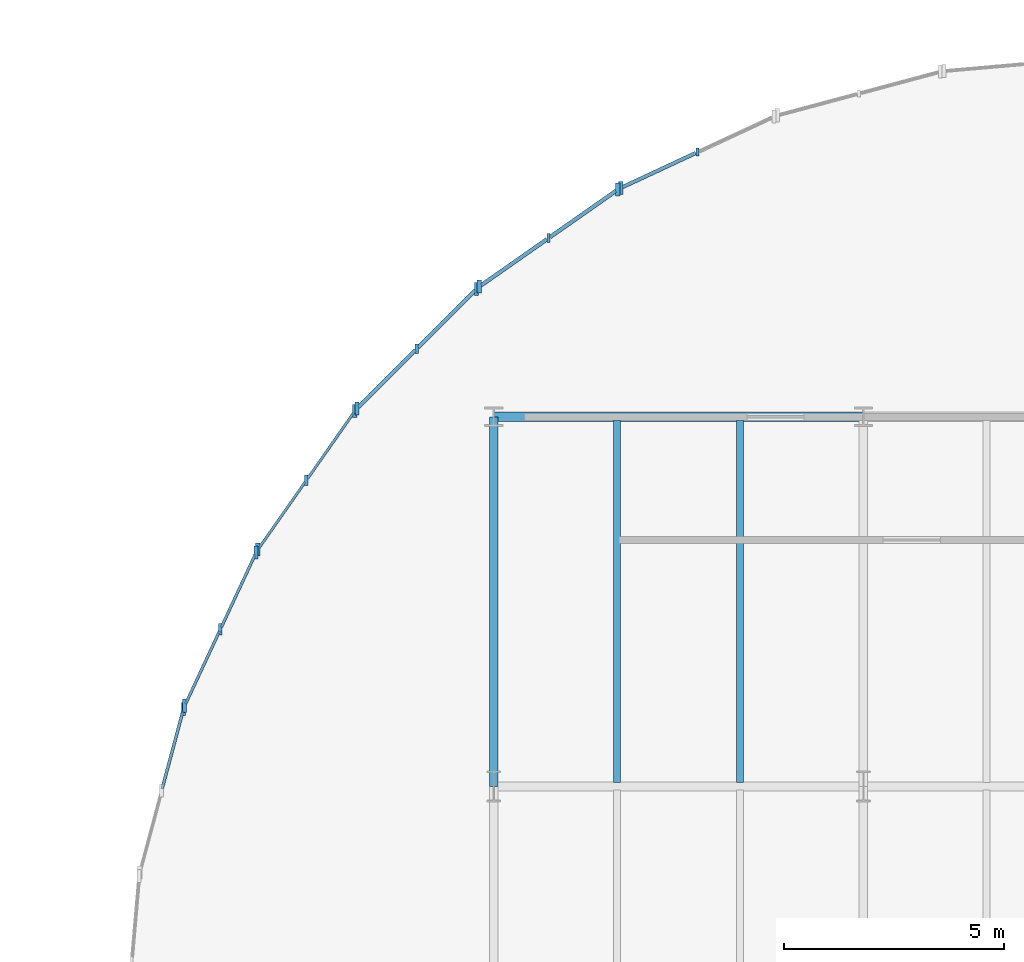
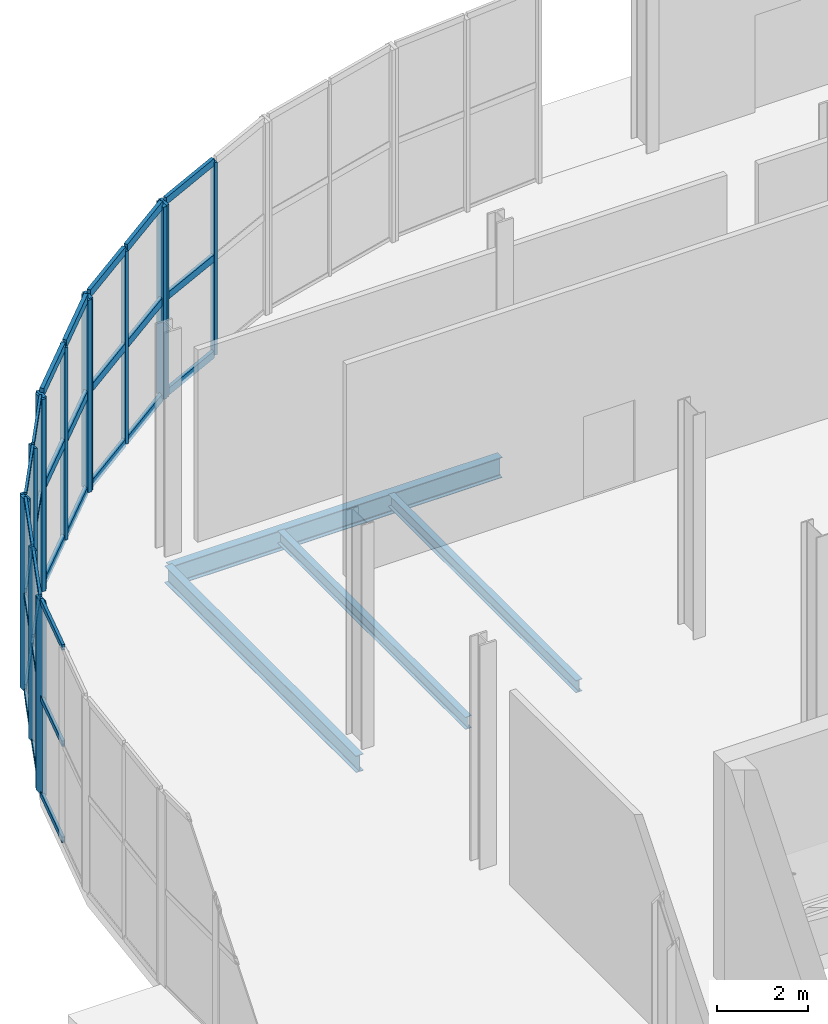
# One storey, part 33 of 84: 45 members, 4 beams, 6 elements without a shape of their own.
"""IFC4 building model written with IfcOpenShell, lengths in metres."""

from ifc_helpers import new_model, si_unit, direction, frame, origin, origin_2d, place, context, subcontext, project, spatial, rectangle, i_section, extrude, material, layer, layer_set, material_profile, profile_set, type_object, element, aggregate, save


model = new_model("IFC4")

# Units and contexts
model_context = context("Model", 3, precision=1e-05, world=origin(), true_north=direction((0.0, 1.0)))
body_context = subcontext(model_context, "Body", "Model", "MODEL_VIEW")
ifc_project = project(units=[si_unit("LENGTHUNIT", "METRE"), si_unit("AREAUNIT", "SQUARE_METRE"), si_unit("VOLUMEUNIT", "CUBIC_METRE"), si_unit("PLANEANGLEUNIT", "RADIAN"), si_unit("MASSUNIT", "GRAM", prefix="KILO")], contexts=[model_context])

# Site, building, storey
site_placement = place(None, origin())
site = spatial("IfcSite", under=ifc_project, at=site_placement, CompositionType="ELEMENT")
building_placement = place(site_placement, origin())
building = spatial("IfcBuilding", under=site, at=building_placement, Name="Sefraquen Railside Congress Hotel", CompositionType="ELEMENT")
storey_placement = place(building_placement, origin())
storey = spatial("IfcBuildingStorey", under=building, at=storey_placement, Name="L00", CompositionType="ELEMENT", Elevation=0.0)

# Beams
ifc_material_1 = material(Name="Steel S355JR", Category="steel")
ifc_material_profile_1 = material_profile(ifc_material_1, i_section(OverallWidth=0.18994140625, OverallDepth=0.449951171875, WebThickness=0.009521484375, FlangeThickness=0.0146484375, FilletRadius=0.02099609375, at=origin_2d()), Name="IPE 450")
ifc_profile_set_1 = profile_set([ifc_material_profile_1], Name="Steel S355JR")
beam_type_1 = type_object("IfcBeamType", Name="TB-BM-450", PredefinedType="BEAM", material=ifc_profile_set_1)
beam_1_placement = place(storey_placement, frame((8.39990234375, 101.39990234375, -0.625), z_axis=(0.0, 1.0, 0.0), x_axis=(-1.0, 0.0, 0.0)))
element("IfcBeam", 1, at=beam_1_placement, inside=storey, type_object=beam_type_1, Name="Floor beam BM-L00-0181", PredefinedType="BEAM", context=body_context, shape_type="SweptSolid", body=[
    extrude(i_section(OverallWidth=0.18994140625, OverallDepth=0.449951171875, WebThickness=0.009521484375, FlangeThickness=0.0146484375, FilletRadius=0.02099609375, at=origin_2d()), origin(), (0.0, 0.0, 1.0), 8.400146484375),
])
ifc_material_profile_2 = material_profile(ifc_material_1, i_section(OverallWidth=0.2099609375, OverallDepth=0.550048828125, WebThickness=0.010986328125, FlangeThickness=0.01708984375, FilletRadius=0.02392578125, at=origin_2d()), Name="IPE 550")
ifc_profile_set_2 = profile_set([ifc_material_profile_2], Name="Steel S355JR")
beam_type_2 = type_object("IfcBeamType", Name="TB-GIR-550", PredefinedType="T_BEAM", material=ifc_profile_set_2)
beam_2_placement = place(storey_placement, frame((8.39990234375, 109.800048828125, -0.675048828125), z_axis=(1.0, 0.0, 0.0), x_axis=(0.0, 1.0, 0.0)))
element("IfcBeam", 2, at=beam_2_placement, inside=storey, type_object=beam_type_2, Name="Primary girder BM-L00-0147", PredefinedType="T_BEAM", context=body_context, shape_type="SweptSolid", body=[
    extrude(i_section(OverallWidth=0.2099609375, OverallDepth=0.550048828125, WebThickness=0.010986328125, FlangeThickness=0.01708984375, FilletRadius=0.02392578125, at=origin_2d()), origin(), (0.0, 0.0, 1.0), 8.400146484375),
])
ifc_material_profile_3 = material_profile(ifc_material_1, i_section(OverallWidth=0.159912109375, OverallDepth=0.330078125, WebThickness=0.007568359375, FlangeThickness=0.011474609375, FilletRadius=0.01806640625, at=origin_2d()), Name="IPE 330")
ifc_profile_set_3 = profile_set([ifc_material_profile_3], Name="Steel S355JR")
beam_type_3 = type_object("IfcBeamType", Name="TB-JST-330", PredefinedType="JOIST", material=ifc_profile_set_3)
for number, where, z_axis, x_axis, name in (
    (3, (11.199951171875, 101.485107421875, -0.56494140625), (0.0, 1.0, 0.0), (-1.0, 0.0, 0.0), "Composite floor joist BM-L00-J0013"),
    (4, (14.0, 101.485107421875, -0.56494140625), (0.0, 1.0, 0.0), (-1.0, 0.0, 0.0), "Composite floor joist BM-L00-J0014"),
):
    element("IfcBeam", number, at=place(storey_placement, frame(where, z_axis=z_axis, x_axis=x_axis)), inside=storey, type_object=beam_type_3, Name=name, PredefinedType="JOIST", context=body_context, shape_type="SweptSolid", body=[
        extrude(i_section(OverallWidth=0.159912109375, OverallDepth=0.330078125, WebThickness=0.007568359375, FlangeThickness=0.011474609375, FilletRadius=0.01806640625, at=origin_2d()), origin(), (0.0, 0.0, 1.0), 8.22998046875),
    ])

# Curtain wall, member
ifc_material_2 = material(Name="Thermally broken anodised aluminium and low-E double glazing", Category="aluminium")
ifc_layer_1 = layer(ifc_material_2, 0.199951171875)
ifc_layer_set_1 = layer_set([ifc_layer_1], Name="Thermally broken anodised aluminium and low-E double glazing")
curtain_wall_type_1 = type_object("IfcCurtainWallType", Name="TCW-UCW-30", PredefinedType="USERDEFINED", material=ifc_layer_set_1)
curtain_wall_1_placement = place(storey_placement, origin())
curtain_wall_1 = element("IfcCurtainWall", 5, at=curtain_wall_1_placement, inside=storey, type_object=curtain_wall_type_1, Name="Rotunda L00 curved curtain wall facet 3", ObjectType="UNITISED CURTAIN WALL", PredefinedType="USERDEFINED")
ifc_material_3 = material(Name="Thermally broken anodised aluminium 6063-T6", Category="aluminium")
ifc_material_profile_4 = material_profile(ifc_material_3, rectangle(XDim=0.06494140625, YDim=0.179931640625, at=origin_2d()), Name="CWM 65x180")
ifc_profile_set_4 = profile_set([ifc_material_profile_4], Name="Thermally broken anodised aluminium 6063-T6")
member_type_1 = type_object("IfcMemberType", Name="TM-CWM-02", PredefinedType="MULLION", material=ifc_profile_set_4)
member_1_placement = place(storey_placement, frame((13.02734375, 115.814208984375, 0.0), z_axis=(0.0, 0.0, 1.0), x_axis=(1.0, 0.0, 0.0)))
member_1 = element("IfcMember", 6, at=member_1_placement, type_object=member_type_1, Name="CW-L00-ROT-03 mullion 2", PredefinedType="MULLION", context=body_context, shape_type="SweptSolid", body=[
    extrude(rectangle(XDim=0.06494140625, YDim=0.179931640625, at=origin_2d()), origin(), (0.0, 0.0, 1.0), 5.14990234375),
])

ifc_layer_2 = layer(ifc_material_2, 0.199951171875)
ifc_layer_set_2 = layer_set([ifc_layer_2], Name="Thermally broken anodised aluminium and low-E double glazing")
curtain_wall_type_2 = type_object("IfcCurtainWallType", Name="TCW-UCW-31", PredefinedType="USERDEFINED", material=ifc_layer_set_2)
curtain_wall_2_placement = place(storey_placement, origin())
curtain_wall_2 = element("IfcCurtainWall", 7, at=curtain_wall_2_placement, inside=storey, type_object=curtain_wall_type_2, Name="Rotunda L00 curved curtain wall facet 4", ObjectType="UNITISED CURTAIN WALL", PredefinedType="USERDEFINED")
ifc_material_profile_5 = material_profile(ifc_material_3, rectangle(XDim=0.070068359375, YDim=0.199951171875, at=origin_2d()), Name="CWM 70x200")
ifc_profile_set_5 = profile_set([ifc_material_profile_5], Name="Thermally broken anodised aluminium 6063-T6")
member_type_2 = type_object("IfcMemberType", Name="TM-CWM-03", PredefinedType="MULLION", material=ifc_profile_set_5)
member_2_placement = place(storey_placement, frame((9.643798828125, 113.86083984375, 0.0), z_axis=(0.0, 0.0, 1.0), x_axis=(1.0, 0.0, 0.0)))
member_2 = element("IfcMember", 8, at=member_2_placement, type_object=member_type_2, Name="CW-L00-ROT-04 mullion 2", PredefinedType="MULLION", context=body_context, shape_type="SweptSolid", body=[
    extrude(rectangle(XDim=0.070068359375, YDim=0.199951171875, at=origin_2d()), origin(), (0.0, 0.0, 1.0), 5.14990234375),
])

ifc_layer_3 = layer(ifc_material_2, 0.199951171875)
ifc_layer_set_3 = layer_set([ifc_layer_3], Name="Thermally broken anodised aluminium and low-E double glazing")
curtain_wall_type_3 = type_object("IfcCurtainWallType", Name="TCW-UCW-32", PredefinedType="USERDEFINED", material=ifc_layer_set_3)
curtain_wall_3_placement = place(storey_placement, origin())
curtain_wall_3 = element("IfcCurtainWall", 9, at=curtain_wall_3_placement, inside=storey, type_object=curtain_wall_type_3, Name="Rotunda L00 curved curtain wall facet 5", ObjectType="UNITISED CURTAIN WALL", PredefinedType="USERDEFINED")
ifc_material_profile_6 = material_profile(ifc_material_3, rectangle(XDim=0.074951171875, YDim=0.219970703125, at=origin_2d()), Name="CWM 75x220")
ifc_profile_set_6 = profile_set([ifc_material_profile_6], Name="Thermally broken anodised aluminium 6063-T6")
member_type_3 = type_object("IfcMemberType", Name="TM-CWM-04", PredefinedType="MULLION", material=ifc_profile_set_6)
member_3_placement = place(storey_placement, frame((6.650634765625, 111.349365234375, 0.0), z_axis=(0.0, 0.0, 1.0), x_axis=(1.0, 0.0, 0.0)))
member_3 = element("IfcMember", 10, at=member_3_placement, type_object=member_type_3, Name="CW-L00-ROT-05 mullion 2", PredefinedType="MULLION", context=body_context, shape_type="SweptSolid", body=[
    extrude(rectangle(XDim=0.074951171875, YDim=0.219970703125, at=origin_2d()), origin(), (0.0, 0.0, 1.0), 5.14990234375),
])

ifc_layer_4 = layer(ifc_material_2, 0.199951171875)
ifc_layer_set_4 = layer_set([ifc_layer_4], Name="Thermally broken anodised aluminium and low-E double glazing")
curtain_wall_type_4 = type_object("IfcCurtainWallType", Name="TCW-UCW-01", PredefinedType="USERDEFINED", material=ifc_layer_set_4)
curtain_wall_4_placement = place(storey_placement, origin())
curtain_wall_4 = element("IfcCurtainWall", 11, at=curtain_wall_4_placement, inside=storey, type_object=curtain_wall_type_4, Name="Rotunda L00 curved curtain wall facet 6", ObjectType="UNITISED CURTAIN WALL", PredefinedType="USERDEFINED")
ifc_material_profile_7 = material_profile(ifc_material_3, rectangle(XDim=0.080078125, YDim=0.239990234375, at=origin_2d()), Name="CWM 80x240")
ifc_profile_set_7 = profile_set([ifc_material_profile_7], Name="Thermally broken anodised aluminium 6063-T6")
member_type_4 = type_object("IfcMemberType", Name="TM-CWM-05", PredefinedType="MULLION", material=ifc_profile_set_7)
member_4_placement = place(storey_placement, frame((4.13916015625, 108.356201171875, 0.0), z_axis=(0.0, 0.0, 1.0), x_axis=(1.0, 0.0, 0.0)))
member_4 = element("IfcMember", 12, at=member_4_placement, type_object=member_type_4, Name="CW-L00-ROT-06 mullion 2", PredefinedType="MULLION", context=body_context, shape_type="SweptSolid", body=[
    extrude(rectangle(XDim=0.080078125, YDim=0.239990234375, at=origin_2d()), origin(), (0.0, 0.0, 1.0), 5.14990234375),
])

ifc_layer_5 = layer(ifc_material_2, 0.199951171875)
ifc_layer_set_5 = layer_set([ifc_layer_5], Name="Thermally broken anodised aluminium and low-E double glazing")
curtain_wall_type_5 = type_object("IfcCurtainWallType", Name="TCW-UCW-02", PredefinedType="USERDEFINED", material=ifc_layer_set_5)
curtain_wall_5_placement = place(storey_placement, origin())
curtain_wall_5 = element("IfcCurtainWall", 13, at=curtain_wall_5_placement, inside=storey, type_object=curtain_wall_type_5, Name="Rotunda L00 curved curtain wall facet 7", ObjectType="UNITISED CURTAIN WALL", PredefinedType="USERDEFINED")
ifc_material_profile_8 = material_profile(ifc_material_3, rectangle(XDim=0.0849609375, YDim=0.260009765625, at=origin_2d()), Name="CWM 85x260")
ifc_profile_set_8 = profile_set([ifc_material_profile_8], Name="Thermally broken anodised aluminium 6063-T6")
member_type_5 = type_object("IfcMemberType", Name="TM-CWM-06", PredefinedType="MULLION", material=ifc_profile_set_8)
member_5_placement = place(storey_placement, frame((2.185546875, 104.972900390625, 0.0), z_axis=(0.0, 0.0, 1.0), x_axis=(1.0, 0.0, 0.0)))
member_5 = element("IfcMember", 14, at=member_5_placement, type_object=member_type_5, Name="CW-L00-ROT-07 mullion 2", PredefinedType="MULLION", context=body_context, shape_type="SweptSolid", body=[
    extrude(rectangle(XDim=0.0849609375, YDim=0.260009765625, at=origin_2d()), origin(), (0.0, 0.0, 1.0), 5.14990234375),
])

# Member
ifc_material_profile_9 = material_profile(ifc_material_3, rectangle(XDim=0.094970703125, YDim=0.300048828125, at=origin_2d()), Name="CWM 95x300")
ifc_profile_set_9 = profile_set([ifc_material_profile_9], Name="Thermally broken anodised aluminium 6063-T6")
member_type_6 = type_object("IfcMemberType", Name="TM-CWM-08", PredefinedType="MULLION", material=ifc_profile_set_9)
member_6_placement = place(storey_placement, frame((11.286376953125, 115.00244140625, 0.0), z_axis=(0.0, 0.0, 1.0), x_axis=(1.0, 0.0, 0.0)))
member_6 = element("IfcMember", 15, at=member_6_placement, type_object=member_type_6, Name="CW-L00-ROT-03 mullion 3", PredefinedType="MULLION", context=body_context, shape_type="SweptSolid", body=[
    extrude(rectangle(XDim=0.094970703125, YDim=0.300048828125, at=origin_2d()), origin(), (0.0, 0.0, 1.0), 5.14990234375),
])

member_7_placement = place(storey_placement, frame((11.21728515625, 114.962646484375, 0.0), z_axis=(0.0, 0.0, 1.0), x_axis=(1.0, 0.0, 0.0)))
member_7 = element("IfcMember", 16, at=member_7_placement, type_object=member_type_6, Name="CW-L00-ROT-04 mullion 1", PredefinedType="MULLION", context=body_context, shape_type="SweptSolid", body=[
    extrude(rectangle(XDim=0.094970703125, YDim=0.300048828125, at=origin_2d()), origin(), (0.0, 0.0, 1.0), 5.14990234375),
])

member_8_placement = place(storey_placement, frame((8.070068359375, 112.7587890625, 0.0), z_axis=(0.0, 0.0, 1.0), x_axis=(1.0, 0.0, 0.0)))
member_8 = element("IfcMember", 17, at=member_8_placement, type_object=member_type_6, Name="CW-L00-ROT-04 mullion 3", PredefinedType="MULLION", context=body_context, shape_type="SweptSolid", body=[
    extrude(rectangle(XDim=0.094970703125, YDim=0.300048828125, at=origin_2d()), origin(), (0.0, 0.0, 1.0), 5.14990234375),
])

member_9_placement = place(storey_placement, frame((8.009033203125, 112.707763671875, 0.0), z_axis=(0.0, 0.0, 1.0), x_axis=(1.0, 0.0, 0.0)))
member_9 = element("IfcMember", 18, at=member_9_placement, type_object=member_type_6, Name="CW-L00-ROT-05 mullion 1", PredefinedType="MULLION", context=body_context, shape_type="SweptSolid", body=[
    extrude(rectangle(XDim=0.094970703125, YDim=0.300048828125, at=origin_2d()), origin(), (0.0, 0.0, 1.0), 5.14990234375),
])

member_10_placement = place(storey_placement, frame((5.292236328125, 109.990966796875, 0.0), z_axis=(0.0, 0.0, 1.0), x_axis=(1.0, 0.0, 0.0)))
member_10 = element("IfcMember", 19, at=member_10_placement, type_object=member_type_6, Name="CW-L00-ROT-05 mullion 3", PredefinedType="MULLION", context=body_context, shape_type="SweptSolid", body=[
    extrude(rectangle(XDim=0.094970703125, YDim=0.300048828125, at=origin_2d()), origin(), (0.0, 0.0, 1.0), 5.14990234375),
])

member_11_placement = place(storey_placement, frame((5.2412109375, 109.929931640625, 0.0), z_axis=(0.0, 0.0, 1.0), x_axis=(1.0, 0.0, 0.0)))
member_11 = element("IfcMember", 20, at=member_11_placement, type_object=member_type_6, Name="CW-L00-ROT-06 mullion 1", PredefinedType="MULLION", context=body_context, shape_type="SweptSolid", body=[
    extrude(rectangle(XDim=0.094970703125, YDim=0.300048828125, at=origin_2d()), origin(), (0.0, 0.0, 1.0), 5.14990234375),
])

member_12_placement = place(storey_placement, frame((3.037353515625, 106.78271484375, 0.0), z_axis=(0.0, 0.0, 1.0), x_axis=(1.0, 0.0, 0.0)))
member_12 = element("IfcMember", 21, at=member_12_placement, type_object=member_type_6, Name="CW-L00-ROT-06 mullion 3", PredefinedType="MULLION", context=body_context, shape_type="SweptSolid", body=[
    extrude(rectangle(XDim=0.094970703125, YDim=0.300048828125, at=origin_2d()), origin(), (0.0, 0.0, 1.0), 5.14990234375),
])

member_13_placement = place(storey_placement, frame((2.99755859375, 106.713623046875, 0.0), z_axis=(0.0, 0.0, 1.0), x_axis=(1.0, 0.0, 0.0)))
member_13 = element("IfcMember", 22, at=member_13_placement, type_object=member_type_6, Name="CW-L00-ROT-07 mullion 1", PredefinedType="MULLION", context=body_context, shape_type="SweptSolid", body=[
    extrude(rectangle(XDim=0.094970703125, YDim=0.300048828125, at=origin_2d()), origin(), (0.0, 0.0, 1.0), 5.14990234375),
])

member_14_placement = place(storey_placement, frame((1.373779296875, 103.231689453125, 0.0), z_axis=(0.0, 0.0, 1.0), x_axis=(1.0, 0.0, 0.0)))
member_14 = element("IfcMember", 23, at=member_14_placement, type_object=member_type_6, Name="CW-L00-ROT-07 mullion 3", PredefinedType="MULLION", context=body_context, shape_type="SweptSolid", body=[
    extrude(rectangle(XDim=0.094970703125, YDim=0.300048828125, at=origin_2d()), origin(), (0.0, 0.0, 1.0), 5.14990234375),
])

# Curtain wall, member
ifc_layer_6 = layer(ifc_material_2, 0.199951171875)
ifc_layer_set_6 = layer_set([ifc_layer_6], Name="Thermally broken anodised aluminium and low-E double glazing")
curtain_wall_type_6 = type_object("IfcCurtainWallType", Name="TCW-UCW-03", PredefinedType="USERDEFINED", material=ifc_layer_set_6)
curtain_wall_6_placement = place(storey_placement, origin())
curtain_wall_6 = element("IfcCurtainWall", 24, at=curtain_wall_6_placement, inside=storey, type_object=curtain_wall_type_6, Name="Rotunda L00 curved curtain wall facet 8", ObjectType="UNITISED CURTAIN WALL", PredefinedType="USERDEFINED")
member_15_placement = place(storey_placement, frame((1.346435546875, 103.156982421875, 0.0), z_axis=(0.0, 0.0, 1.0), x_axis=(1.0, 0.0, 0.0)))
member_15 = element("IfcMember", 25, at=member_15_placement, type_object=member_type_6, Name="CW-L00-ROT-08 mullion 1", PredefinedType="MULLION", context=body_context, shape_type="SweptSolid", body=[
    extrude(rectangle(XDim=0.094970703125, YDim=0.300048828125, at=origin_2d()), origin(), (0.0, 0.0, 1.0), 5.14990234375),
])

# Member
ifc_material_profile_10 = material_profile(ifc_material_3, rectangle(XDim=0.06005859375, YDim=0.1201171875, at=origin_2d()), Name="CWT 60x120")
ifc_profile_set_10 = profile_set([ifc_material_profile_10], Name="Thermally broken anodised aluminium 6063-T6")
member_type_7 = type_object("IfcMemberType", Name="TM-CWT-01", PredefinedType="USERDEFINED", material=ifc_profile_set_10)
member_16_placement = place(storey_placement, frame((5.21533203125, 109.89306640625, 0.0), z_axis=(-0.573632363976, -0.819112880499, 0.0), x_axis=(0.819112880499, -0.573632363976, 0.0)))
member_16 = element("IfcMember", 26, at=member_16_placement, type_object=member_type_7, Name="CW-L00-ROT-06 transom 1.1", ObjectType="TRANSOM", PredefinedType="USERDEFINED", context=body_context, shape_type="SweptSolid", body=[
    extrude(rectangle(XDim=0.06005859375, YDim=0.1201171875, at=origin_2d()), origin(), (0.0, 0.0, 1.0), 1.8310546875),
])

member_17_placement = place(storey_placement, frame((4.11328125, 108.319580078125, 0.0), z_axis=(-0.573480241742, -0.819219392063, 0.0), x_axis=(0.819219392063, -0.573480241742, 0.0)))
member_17 = element("IfcMember", 27, at=member_17_placement, type_object=member_type_7, Name="CW-L00-ROT-06 transom 1.2", ObjectType="TRANSOM", PredefinedType="USERDEFINED", context=body_context, shape_type="SweptSolid", body=[
    extrude(rectangle(XDim=0.06005859375, YDim=0.1201171875, at=origin_2d()), origin(), (0.0, 0.0, 1.0), 1.8310546875),
])

member_18_placement = place(storey_placement, frame((5.21533203125, 109.89306640625, 2.574951171875), z_axis=(-0.573632363976, -0.819112880499, 0.0), x_axis=(0.819112880499, -0.573632363976, 0.0)))
member_18 = element("IfcMember", 28, at=member_18_placement, type_object=member_type_7, Name="CW-L00-ROT-06 transom 2.1", ObjectType="TRANSOM", PredefinedType="USERDEFINED", context=body_context, shape_type="SweptSolid", body=[
    extrude(rectangle(XDim=0.06005859375, YDim=0.1201171875, at=origin_2d()), origin(), (0.0, 0.0, 1.0), 1.8310546875),
])

member_19_placement = place(storey_placement, frame((4.11328125, 108.319580078125, 2.574951171875), z_axis=(-0.573480241742, -0.819219392063, 0.0), x_axis=(0.819219392063, -0.573480241742, 0.0)))
member_19 = element("IfcMember", 29, at=member_19_placement, type_object=member_type_7, Name="CW-L00-ROT-06 transom 2.2", ObjectType="TRANSOM", PredefinedType="USERDEFINED", context=body_context, shape_type="SweptSolid", body=[
    extrude(rectangle(XDim=0.06005859375, YDim=0.1201171875, at=origin_2d()), origin(), (0.0, 0.0, 1.0), 1.8310546875),
])

member_20_placement = place(storey_placement, frame((5.21533203125, 109.89306640625, 5.14990234375), z_axis=(-0.573632363976, -0.819112880499, 0.0), x_axis=(0.819112880499, -0.573632363976, 0.0)))
member_20 = element("IfcMember", 30, at=member_20_placement, type_object=member_type_7, Name="CW-L00-ROT-06 transom 3.1", ObjectType="TRANSOM", PredefinedType="USERDEFINED", context=body_context, shape_type="SweptSolid", body=[
    extrude(rectangle(XDim=0.06005859375, YDim=0.1201171875, at=origin_2d()), origin(), (0.0, 0.0, 1.0), 1.8310546875),
])

member_21_placement = place(storey_placement, frame((4.11328125, 108.319580078125, 5.14990234375), z_axis=(-0.573480241742, -0.819219392063, 0.0), x_axis=(0.819219392063, -0.573480241742, 0.0)))
member_21 = element("IfcMember", 31, at=member_21_placement, type_object=member_type_7, Name="CW-L00-ROT-06 transom 3.2", ObjectType="TRANSOM", PredefinedType="USERDEFINED", context=body_context, shape_type="SweptSolid", body=[
    extrude(rectangle(XDim=0.06005859375, YDim=0.1201171875, at=origin_2d()), origin(), (0.0, 0.0, 1.0), 1.8310546875),
])

aggregate(curtain_wall_4, [member_11, member_4, member_12, member_16, member_17, member_18, member_19, member_20, member_21])

ifc_material_profile_11 = material_profile(ifc_material_3, rectangle(XDim=0.06494140625, YDim=0.135009765625, at=origin_2d()), Name="CWT 65x135")
ifc_profile_set_11 = profile_set([ifc_material_profile_11], Name="Thermally broken anodised aluminium 6063-T6")
member_type_8 = type_object("IfcMemberType", Name="TM-CWT-02", PredefinedType="USERDEFINED", material=ifc_profile_set_11)
member_22_placement = place(storey_placement, frame((2.978515625, 106.6728515625, 0.0), z_axis=(-0.422673771403, -0.906281900386, 0.0), x_axis=(0.906281900386, -0.422673771403, 0.0)))
member_22 = element("IfcMember", 32, at=member_22_placement, type_object=member_type_8, Name="CW-L00-ROT-07 transom 1.1", ObjectType="TRANSOM", PredefinedType="USERDEFINED", context=body_context, shape_type="SweptSolid", body=[
    extrude(rectangle(XDim=0.06494140625, YDim=0.135009765625, at=origin_2d()), origin(), (0.0, 0.0, 1.0), 1.8310546875),
])

member_23_placement = place(storey_placement, frame((2.166748046875, 104.931884765625, 0.0), z_axis=(-0.422724852641, -0.906258075252, 0.0), x_axis=(0.906258075252, -0.422724852641, 0.0)))
member_23 = element("IfcMember", 33, at=member_23_placement, type_object=member_type_8, Name="CW-L00-ROT-07 transom 1.2", ObjectType="TRANSOM", PredefinedType="USERDEFINED", context=body_context, shape_type="SweptSolid", body=[
    extrude(rectangle(XDim=0.06494140625, YDim=0.135009765625, at=origin_2d()), origin(), (0.0, 0.0, 1.0), 1.830810546875),
])

member_24_placement = place(storey_placement, frame((2.978515625, 106.6728515625, 2.574951171875), z_axis=(-0.422673771403, -0.906281900386, 0.0), x_axis=(0.906281900386, -0.422673771403, 0.0)))
member_24 = element("IfcMember", 34, at=member_24_placement, type_object=member_type_8, Name="CW-L00-ROT-07 transom 2.1", ObjectType="TRANSOM", PredefinedType="USERDEFINED", context=body_context, shape_type="SweptSolid", body=[
    extrude(rectangle(XDim=0.06494140625, YDim=0.135009765625, at=origin_2d()), origin(), (0.0, 0.0, 1.0), 1.8310546875),
])

member_25_placement = place(storey_placement, frame((2.166748046875, 104.931884765625, 2.574951171875), z_axis=(-0.422724852641, -0.906258075252, 0.0), x_axis=(0.906258075252, -0.422724852641, 0.0)))
member_25 = element("IfcMember", 35, at=member_25_placement, type_object=member_type_8, Name="CW-L00-ROT-07 transom 2.2", ObjectType="TRANSOM", PredefinedType="USERDEFINED", context=body_context, shape_type="SweptSolid", body=[
    extrude(rectangle(XDim=0.06494140625, YDim=0.135009765625, at=origin_2d()), origin(), (0.0, 0.0, 1.0), 1.830810546875),
])

member_26_placement = place(storey_placement, frame((2.978515625, 106.6728515625, 5.14990234375), z_axis=(-0.422673771403, -0.906281900386, 0.0), x_axis=(0.906281900386, -0.422673771403, 0.0)))
member_26 = element("IfcMember", 36, at=member_26_placement, type_object=member_type_8, Name="CW-L00-ROT-07 transom 3.1", ObjectType="TRANSOM", PredefinedType="USERDEFINED", context=body_context, shape_type="SweptSolid", body=[
    extrude(rectangle(XDim=0.06494140625, YDim=0.135009765625, at=origin_2d()), origin(), (0.0, 0.0, 1.0), 1.8310546875),
])

member_27_placement = place(storey_placement, frame((2.166748046875, 104.931884765625, 5.14990234375), z_axis=(-0.422724852641, -0.906258075252, 0.0), x_axis=(0.906258075252, -0.422724852641, 0.0)))
member_27 = element("IfcMember", 37, at=member_27_placement, type_object=member_type_8, Name="CW-L00-ROT-07 transom 3.2", ObjectType="TRANSOM", PredefinedType="USERDEFINED", context=body_context, shape_type="SweptSolid", body=[
    extrude(rectangle(XDim=0.06494140625, YDim=0.135009765625, at=origin_2d()), origin(), (0.0, 0.0, 1.0), 1.830810546875),
])

aggregate(curtain_wall_5, [member_13, member_5, member_14, member_22, member_23, member_24, member_25, member_26, member_27])

ifc_material_profile_12 = material_profile(ifc_material_3, rectangle(XDim=0.070068359375, YDim=0.14990234375, at=origin_2d()), Name="CWT 70x150")
ifc_profile_set_12 = profile_set([ifc_material_profile_12], Name="Thermally broken anodised aluminium 6063-T6")
member_type_9 = type_object("IfcMemberType", Name="TM-CWT-03", PredefinedType="USERDEFINED", material=ifc_profile_set_12)
member_28_placement = place(storey_placement, frame((1.3349609375, 103.11328125, 0.0), z_axis=(-0.25894046868, -0.965893282759, 0.0), x_axis=(0.965893282759, -0.25894046868, 0.0)))
member_28 = element("IfcMember", 38, at=member_28_placement, type_object=member_type_9, Name="CW-L00-ROT-08 transom 1.1", ObjectType="TRANSOM", PredefinedType="USERDEFINED", context=body_context, shape_type="SweptSolid", body=[
    extrude(rectangle(XDim=0.070068359375, YDim=0.14990234375, at=origin_2d()), origin(), (0.0, 0.0, 1.0), 1.8310546875),
])

member_29_placement = place(storey_placement, frame((1.3349609375, 103.11328125, 2.574951171875), z_axis=(-0.25894046868, -0.965893282759, 0.0), x_axis=(0.965893282759, -0.25894046868, 0.0)))
member_29 = element("IfcMember", 39, at=member_29_placement, type_object=member_type_9, Name="CW-L00-ROT-08 transom 2.1", ObjectType="TRANSOM", PredefinedType="USERDEFINED", context=body_context, shape_type="SweptSolid", body=[
    extrude(rectangle(XDim=0.070068359375, YDim=0.14990234375, at=origin_2d()), origin(), (0.0, 0.0, 1.0), 1.8310546875),
])

member_30_placement = place(storey_placement, frame((1.3349609375, 103.11328125, 5.14990234375), z_axis=(-0.25894046868, -0.965893282759, 0.0), x_axis=(0.965893282759, -0.25894046868, 0.0)))
member_30 = element("IfcMember", 40, at=member_30_placement, type_object=member_type_9, Name="CW-L00-ROT-08 transom 3.1", ObjectType="TRANSOM", PredefinedType="USERDEFINED", context=body_context, shape_type="SweptSolid", body=[
    extrude(rectangle(XDim=0.070068359375, YDim=0.14990234375, at=origin_2d()), origin(), (0.0, 0.0, 1.0), 1.8310546875),
])

aggregate(curtain_wall_6, [member_15, member_28, member_29, member_30])

ifc_material_profile_13 = material_profile(ifc_material_3, rectangle(XDim=0.0849609375, YDim=0.195068359375, at=origin_2d()), Name="CWT 85x195")
ifc_profile_set_13 = profile_set([ifc_material_profile_13], Name="Thermally broken anodised aluminium 6063-T6")
member_type_10 = type_object("IfcMemberType", Name="TM-CWT-06", PredefinedType="USERDEFINED", material=ifc_profile_set_13)
member_31_placement = place(storey_placement, frame((12.986572265625, 115.79541015625, 0.0), z_axis=(-0.906281900386, -0.422673771403, 0.0), x_axis=(0.422673771403, -0.906281900386, 0.0)))
member_31 = element("IfcMember", 41, at=member_31_placement, type_object=member_type_10, Name="CW-L00-ROT-03 transom 1.2", ObjectType="TRANSOM", PredefinedType="USERDEFINED", context=body_context, shape_type="SweptSolid", body=[
    extrude(rectangle(XDim=0.0849609375, YDim=0.195068359375, at=origin_2d()), origin(), (0.0, 0.0, 1.0), 1.8310546875),
])

member_32_placement = place(storey_placement, frame((12.986572265625, 115.79541015625, 2.574951171875), z_axis=(-0.906281900386, -0.422673771403, 0.0), x_axis=(0.422673771403, -0.906281900386, 0.0)))
member_32 = element("IfcMember", 42, at=member_32_placement, type_object=member_type_10, Name="CW-L00-ROT-03 transom 2.2", ObjectType="TRANSOM", PredefinedType="USERDEFINED", context=body_context, shape_type="SweptSolid", body=[
    extrude(rectangle(XDim=0.0849609375, YDim=0.195068359375, at=origin_2d()), origin(), (0.0, 0.0, 1.0), 1.8310546875),
])

member_33_placement = place(storey_placement, frame((12.986572265625, 115.79541015625, 5.14990234375), z_axis=(-0.906281900386, -0.422673771403, 0.0), x_axis=(0.422673771403, -0.906281900386, 0.0)))
member_33 = element("IfcMember", 43, at=member_33_placement, type_object=member_type_10, Name="CW-L00-ROT-03 transom 3.2", ObjectType="TRANSOM", PredefinedType="USERDEFINED", context=body_context, shape_type="SweptSolid", body=[
    extrude(rectangle(XDim=0.0849609375, YDim=0.195068359375, at=origin_2d()), origin(), (0.0, 0.0, 1.0), 1.8310546875),
])

aggregate(curtain_wall_1, [member_1, member_6, member_31, member_32, member_33])

ifc_material_profile_14 = material_profile(ifc_material_3, rectangle(XDim=0.090087890625, YDim=0.2099609375, at=origin_2d()), Name="CWT 90x210")
ifc_profile_set_14 = profile_set([ifc_material_profile_14], Name="Thermally broken anodised aluminium 6063-T6")
member_type_11 = type_object("IfcMemberType", Name="TM-CWT-07", PredefinedType="USERDEFINED", material=ifc_profile_set_14)
member_34_placement = place(storey_placement, frame((11.180419921875, 114.93701171875, 0.0), z_axis=(-0.819156749665, -0.573569716318, 0.0), x_axis=(0.573569716318, -0.819156749665, 0.0)))
member_34 = element("IfcMember", 44, at=member_34_placement, type_object=member_type_11, Name="CW-L00-ROT-04 transom 1.1", ObjectType="TRANSOM", PredefinedType="USERDEFINED", context=body_context, shape_type="SweptSolid", body=[
    extrude(rectangle(XDim=0.090087890625, YDim=0.2099609375, at=origin_2d()), origin(), (0.0, 0.0, 1.0), 1.8310546875),
])

member_35_placement = place(storey_placement, frame((9.606689453125, 113.8349609375, 0.0), z_axis=(-0.819175533227, -0.573542889209, 0.0), x_axis=(0.573542889209, -0.819175533227, 0.0)))
member_35 = element("IfcMember", 45, at=member_35_placement, type_object=member_type_11, Name="CW-L00-ROT-04 transom 1.2", ObjectType="TRANSOM", PredefinedType="USERDEFINED", context=body_context, shape_type="SweptSolid", body=[
    extrude(rectangle(XDim=0.090087890625, YDim=0.2099609375, at=origin_2d()), origin(), (0.0, 0.0, 1.0), 1.830810546875),
])

member_36_placement = place(storey_placement, frame((11.180419921875, 114.93701171875, 2.574951171875), z_axis=(-0.819156749665, -0.573569716318, 0.0), x_axis=(0.573569716318, -0.819156749665, 0.0)))
member_36 = element("IfcMember", 46, at=member_36_placement, type_object=member_type_11, Name="CW-L00-ROT-04 transom 2.1", ObjectType="TRANSOM", PredefinedType="USERDEFINED", context=body_context, shape_type="SweptSolid", body=[
    extrude(rectangle(XDim=0.090087890625, YDim=0.2099609375, at=origin_2d()), origin(), (0.0, 0.0, 1.0), 1.8310546875),
])

member_37_placement = place(storey_placement, frame((9.606689453125, 113.8349609375, 2.574951171875), z_axis=(-0.819175533227, -0.573542889209, 0.0), x_axis=(0.573542889209, -0.819175533227, 0.0)))
member_37 = element("IfcMember", 47, at=member_37_placement, type_object=member_type_11, Name="CW-L00-ROT-04 transom 2.2", ObjectType="TRANSOM", PredefinedType="USERDEFINED", context=body_context, shape_type="SweptSolid", body=[
    extrude(rectangle(XDim=0.090087890625, YDim=0.2099609375, at=origin_2d()), origin(), (0.0, 0.0, 1.0), 1.830810546875),
])

member_38_placement = place(storey_placement, frame((11.180419921875, 114.93701171875, 5.14990234375), z_axis=(-0.819156749665, -0.573569716318, 0.0), x_axis=(0.573569716318, -0.819156749665, 0.0)))
member_38 = element("IfcMember", 48, at=member_38_placement, type_object=member_type_11, Name="CW-L00-ROT-04 transom 3.1", ObjectType="TRANSOM", PredefinedType="USERDEFINED", context=body_context, shape_type="SweptSolid", body=[
    extrude(rectangle(XDim=0.090087890625, YDim=0.2099609375, at=origin_2d()), origin(), (0.0, 0.0, 1.0), 1.8310546875),
])

member_39_placement = place(storey_placement, frame((9.606689453125, 113.8349609375, 5.14990234375), z_axis=(-0.819175533227, -0.573542889209, 0.0), x_axis=(0.573542889209, -0.819175533227, 0.0)))
member_39 = element("IfcMember", 49, at=member_39_placement, type_object=member_type_11, Name="CW-L00-ROT-04 transom 3.2", ObjectType="TRANSOM", PredefinedType="USERDEFINED", context=body_context, shape_type="SweptSolid", body=[
    extrude(rectangle(XDim=0.090087890625, YDim=0.2099609375, at=origin_2d()), origin(), (0.0, 0.0, 1.0), 1.830810546875),
])

aggregate(curtain_wall_2, [member_7, member_2, member_8, member_34, member_35, member_36, member_37, member_38, member_39])

ifc_material_profile_15 = material_profile(ifc_material_3, rectangle(XDim=0.094970703125, YDim=0.22509765625, at=origin_2d()), Name="CWT 95x225")
ifc_profile_set_15 = profile_set([ifc_material_profile_15], Name="Thermally broken anodised aluminium 6063-T6")
member_type_12 = type_object("IfcMemberType", Name="TM-CWT-08", PredefinedType="USERDEFINED", material=ifc_profile_set_15)
member_40_placement = place(storey_placement, frame((7.977294921875, 112.67578125, 0.0), z_axis=(-0.707106781187, -0.707106781187, 0.0), x_axis=(0.707106781187, -0.707106781187, 0.0)))
member_40 = element("IfcMember", 50, at=member_40_placement, type_object=member_type_12, Name="CW-L00-ROT-05 transom 1.1", ObjectType="TRANSOM", PredefinedType="USERDEFINED", context=body_context, shape_type="SweptSolid", body=[
    extrude(rectangle(XDim=0.094970703125, YDim=0.22509765625, at=origin_2d()), origin(), (0.0, 0.0, 1.0), 1.8310546875),
])

member_41_placement = place(storey_placement, frame((6.618896484375, 111.3173828125, 0.0), z_axis=(-0.707106781187, -0.707106781187, 0.0), x_axis=(0.707106781187, -0.707106781187, 0.0)))
member_41 = element("IfcMember", 51, at=member_41_placement, type_object=member_type_12, Name="CW-L00-ROT-05 transom 1.2", ObjectType="TRANSOM", PredefinedType="USERDEFINED", context=body_context, shape_type="SweptSolid", body=[
    extrude(rectangle(XDim=0.094970703125, YDim=0.22509765625, at=origin_2d()), origin(), (0.0, 0.0, 1.0), 1.8310546875),
])

member_42_placement = place(storey_placement, frame((7.977294921875, 112.67578125, 2.574951171875), z_axis=(-0.707106781187, -0.707106781187, 0.0), x_axis=(0.707106781187, -0.707106781187, 0.0)))
member_42 = element("IfcMember", 52, at=member_42_placement, type_object=member_type_12, Name="CW-L00-ROT-05 transom 2.1", ObjectType="TRANSOM", PredefinedType="USERDEFINED", context=body_context, shape_type="SweptSolid", body=[
    extrude(rectangle(XDim=0.094970703125, YDim=0.22509765625, at=origin_2d()), origin(), (0.0, 0.0, 1.0), 1.8310546875),
])

member_43_placement = place(storey_placement, frame((6.618896484375, 111.3173828125, 2.574951171875), z_axis=(-0.707106781187, -0.707106781187, 0.0), x_axis=(0.707106781187, -0.707106781187, 0.0)))
member_43 = element("IfcMember", 53, at=member_43_placement, type_object=member_type_12, Name="CW-L00-ROT-05 transom 2.2", ObjectType="TRANSOM", PredefinedType="USERDEFINED", context=body_context, shape_type="SweptSolid", body=[
    extrude(rectangle(XDim=0.094970703125, YDim=0.22509765625, at=origin_2d()), origin(), (0.0, 0.0, 1.0), 1.8310546875),
])

member_44_placement = place(storey_placement, frame((7.977294921875, 112.67578125, 5.14990234375), z_axis=(-0.707106781187, -0.707106781187, 0.0), x_axis=(0.707106781187, -0.707106781187, 0.0)))
member_44 = element("IfcMember", 54, at=member_44_placement, type_object=member_type_12, Name="CW-L00-ROT-05 transom 3.1", ObjectType="TRANSOM", PredefinedType="USERDEFINED", context=body_context, shape_type="SweptSolid", body=[
    extrude(rectangle(XDim=0.094970703125, YDim=0.22509765625, at=origin_2d()), origin(), (0.0, 0.0, 1.0), 1.8310546875),
])

member_45_placement = place(storey_placement, frame((6.618896484375, 111.3173828125, 5.14990234375), z_axis=(-0.707106781187, -0.707106781187, 0.0), x_axis=(0.707106781187, -0.707106781187, 0.0)))
member_45 = element("IfcMember", 55, at=member_45_placement, type_object=member_type_12, Name="CW-L00-ROT-05 transom 3.2", ObjectType="TRANSOM", PredefinedType="USERDEFINED", context=body_context, shape_type="SweptSolid", body=[
    extrude(rectangle(XDim=0.094970703125, YDim=0.22509765625, at=origin_2d()), origin(), (0.0, 0.0, 1.0), 1.8310546875),
])

aggregate(curtain_wall_3, [member_9, member_3, member_10, member_40, member_41, member_42, member_43, member_44, member_45])

save(model, "model.ifc")
